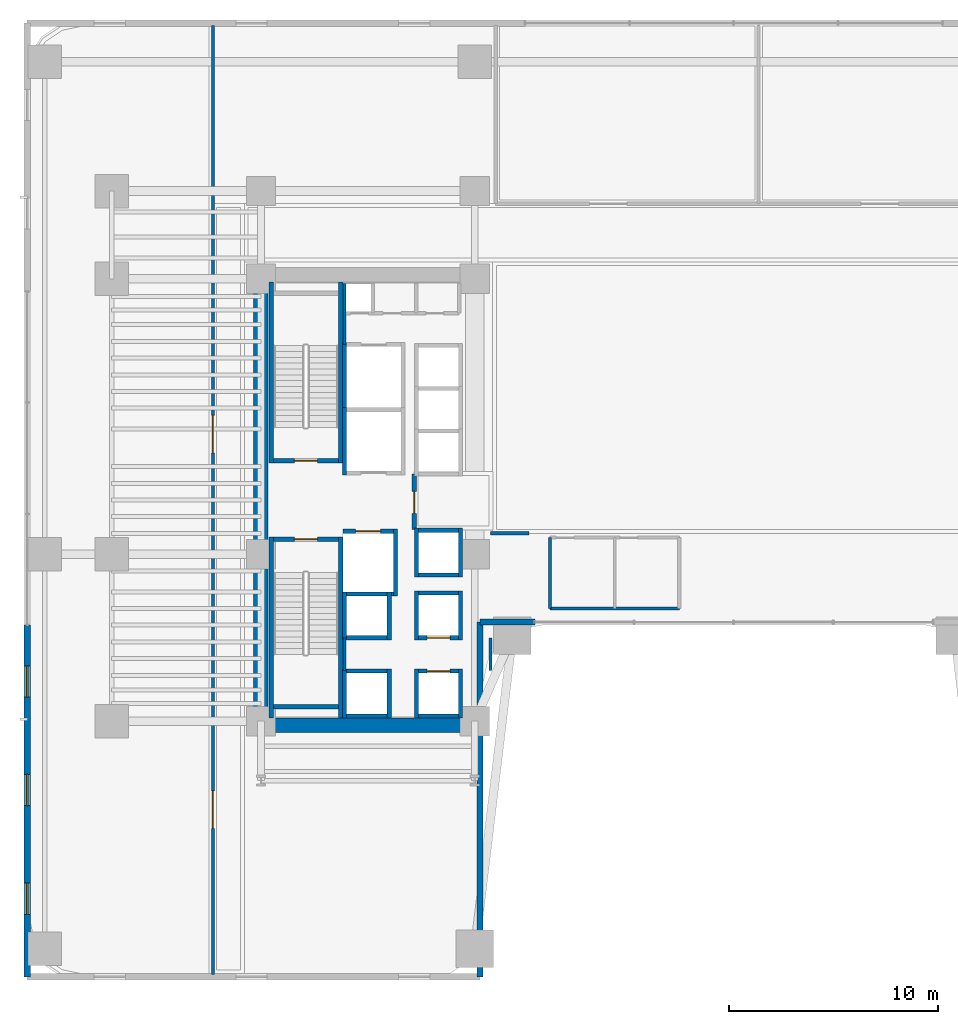
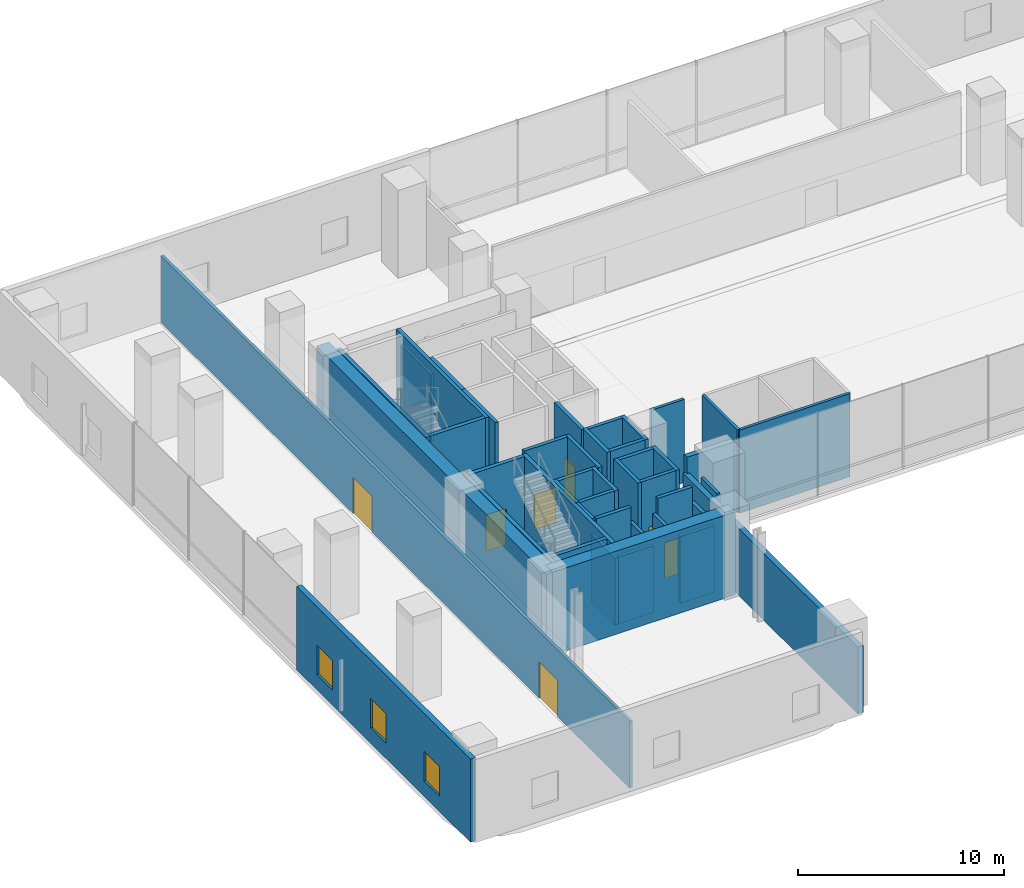
# One storey, part 26 of 39: 44 walls, 8 doors, 3 windows, 11 openings.
"""IFC4 building model written with IfcOpenShell, lengths in metres."""

from ifc_helpers import new_model, si_unit, direction, frame, frame_2d, origin, place, context, subcontext, project, spatial, rectangle, extrude, material, layer, layer_set, type_object, element, fill, save


model = new_model("IFC4")

# Units and contexts
model_context = context("Model", 3, precision=1e-05, world=origin(), true_north=direction((0.0, 1.0)))
body_context = subcontext(model_context, "Body", "Model", "MODEL_VIEW")
ifc_project = project(units=[si_unit("LENGTHUNIT", "METRE"), si_unit("AREAUNIT", "SQUARE_METRE"), si_unit("VOLUMEUNIT", "CUBIC_METRE"), si_unit("PLANEANGLEUNIT", "RADIAN"), si_unit("MASSUNIT", "GRAM", prefix="KILO")], contexts=[model_context])

# Site, building, storey
site_placement = place(None, origin())
site = spatial("IfcSite", under=ifc_project, at=site_placement, CompositionType="ELEMENT")
building_placement = place(site_placement, origin())
building = spatial("IfcBuilding", under=site, at=building_placement, Name="Valdorenza Pilgrim Sanctuary Tower", CompositionType="ELEMENT")
storey_placement = place(building_placement, frame((0.0, 0.0, 5.199951171875)))
storey = spatial("IfcBuildingStorey", under=building, at=storey_placement, Name="L01", CompositionType="ELEMENT", Elevation=5.199951171875)

# Walls
ifc_material_1 = material(Name="Acoustic twin-stud gypsum partition", Category="gypsum")
ifc_layer_1 = layer(ifc_material_1, 0.159912109375, Name="Acoustic twin-stud gypsum partition")
ifc_layer_set_1 = layer_set([ifc_layer_1], Name="Acoustic twin-stud gypsum partition")
wall_type_1 = type_object("IfcWallType", Name="WAL-COR-160", PredefinedType="PARTITIONING", material=ifc_layer_set_1)
wall_1_placement = place(storey_placement, frame((-18.64990234375, 7.449951171875, 0.0), z_axis=(0.0, 0.0, 1.0), x_axis=(0.0, 1.0, 0.0)))
element("IfcWall", 1, at=wall_1_placement, inside=storey, type_object=wall_type_1, Name="L01 Core A North Service West Wall", PredefinedType="PARTITIONING", context=body_context, shape_type="SweptSolid", body=[
    extrude(rectangle(XDim=2.929931640625, YDim=0.159912109375, at=frame_2d((1.46484375, 0.0))), origin(), (0.0, 0.0, 1.0), 3.95703125),
])
wall_2_placement = place(storey_placement, frame((-18.64990234375, -8.179931640625, 0.0), z_axis=(0.0, 0.0, 1.0), x_axis=(0.0, 1.0, 0.0)))
element("IfcWall", 2, at=wall_2_placement, inside=storey, type_object=wall_type_1, Name="L01 Core A South Lift Hall West Wall", PredefinedType="PARTITIONING", context=body_context, shape_type="SweptSolid", body=[
    extrude(rectangle(XDim=1.559814453125, YDim=0.159912109375, at=frame_2d((0.77978515625, 0.0))), origin(), (0.0, 0.0, 1.0), 4.920166015625),
])
wall_3_placement = place(storey_placement, frame((-11.64990234375, -8.179931640625, 0.0), z_axis=(0.0, 0.0, 1.0), x_axis=(0.0, 1.0, 0.0)))
element("IfcWall", 3, at=wall_3_placement, inside=storey, type_object=wall_type_1, Name="L01 Core A South Lift Hall East Wall", PredefinedType="PARTITIONING", context=body_context, shape_type="SweptSolid", body=[
    extrude(rectangle(XDim=1.559814453125, YDim=0.159912109375, at=frame_2d((0.77978515625, 0.0))), origin(), (0.0, 0.0, 1.0), 3.95703125),
])

# Wall, openings, doors
wall_4_placement = place(storey_placement, frame((-24.949951171875, -22.739990234375, 0.0), z_axis=(0.0, 0.0, 1.0), x_axis=(0.0, 1.0, 0.0)))
wall_4 = element("IfcWall", 4, at=wall_4_placement, inside=storey, type_object=wall_type_1, Name="L01 L01 West Hall Wall", PredefinedType="PARTITIONING", context=body_context, shape_type="SweptSolid", body=[
    extrude(rectangle(XDim=45.47998046875, YDim=0.159912109375, at=frame_2d((22.739990234375, 0.0))), origin(), (0.0, 0.0, 1.0), 3.95703125),
])
opening_1_placement = place(wall_4_placement, frame((7.0, 0.0, 0.0)))
opening_1 = element("IfcOpeningElement", 5, at=opening_1_placement, cuts=wall_4, Name="Opening DR-HL1", PredefinedType="OPENING", context=body_context, shape_type="SweptSolid", body=[
    extrude(rectangle(XDim=1.800048828125, YDim=2.14990234375, at=frame_2d((0.89990234375, 1.074951171875))), frame((0.0, 0.0947265625, 0.0), z_axis=(0.0, -1.0, 0.0), x_axis=(1.0, 0.0, 0.0)), (0.0, 0.0, 1.0), 0.189697265625),
])
opening_2_placement = place(wall_4_placement, frame((25.0, 0.0, 0.0)))
opening_2 = element("IfcOpeningElement", 6, at=opening_2_placement, cuts=wall_4, Name="Opening DR-HL1", PredefinedType="OPENING", context=body_context, shape_type="SweptSolid", body=[
    extrude(rectangle(XDim=1.800048828125, YDim=2.14990234375, at=frame_2d((0.89990234375, 1.074951171875))), frame((0.0, 0.0947265625, 0.0), z_axis=(0.0, -1.0, 0.0), x_axis=(1.0, 0.0, 0.0)), (0.0, 0.0, 1.0), 0.189697265625),
])
ifc_material_2 = material(Name="Acoustic oak and vision-glass double door", Category="glass")
door_type_1 = type_object("IfcDoorType", Name="DR-HALL-1800", OperationType="NOTDEFINED", PredefinedType="DOOR", material=ifc_material_2)
door_1_placement = place(opening_1_placement, origin())
door_1 = element("IfcDoor", 7, at=door_1_placement, inside=storey, type_object=door_type_1, Name="L01 Pilgrim Orientation Concourse South Double Door", OperationType="DOUBLE_DOOR_SINGLE_SWING", OverallHeight=2.14990234375, OverallWidth=1.800048828125, PredefinedType="DOOR", context=body_context, shape_type="SweptSolid", body=[
    extrude(rectangle(XDim=1.800048828125, YDim=2.14990234375, at=frame_2d((0.89990234375, 1.074951171875))), frame((0.0, 0.02490234375, 0.0), z_axis=(0.0, -1.0, 0.0), x_axis=(1.0, 0.0, 0.0)), (0.0, 0.0, 1.0), 0.050048828125),
])
fill(opening_1, door_1)
door_2_placement = place(opening_2_placement, frame((1.800048828125, 0.0, 0.0), z_axis=(0.0, 0.0, 1.0), x_axis=(-1.0, 0.0, 0.0)))
door_2 = element("IfcDoor", 8, at=door_2_placement, inside=storey, type_object=door_type_1, Name="L01 Pilgrim Orientation Concourse North Double Door", OperationType="DOUBLE_DOOR_SINGLE_SWING", OverallHeight=2.14990234375, OverallWidth=1.800048828125, PredefinedType="DOOR", context=body_context, shape_type="SweptSolid", body=[
    extrude(rectangle(XDim=1.800048828125, YDim=2.14990234375, at=frame_2d((0.89990234375, 1.074951171875))), frame((0.0, 0.02490234375, 0.0), z_axis=(0.0, -1.0, 0.0), x_axis=(1.0, 0.0, 0.0)), (0.0, 0.0, 1.0), 0.050048828125),
])
fill(opening_2, door_2)

# Walls
wall_5_placement = place(storey_placement, frame((-8.800048828125, -5.199951171875, 0.0), z_axis=(0.0, 0.0, 1.0), x_axis=(0.0, 1.0, 0.0)))
element("IfcWall", 9, at=wall_5_placement, inside=storey, type_object=wall_type_1, Name="L01 Washroom West Wall", PredefinedType="PARTITIONING", context=body_context, shape_type="SweptSolid", body=[
    extrude(rectangle(XDim=3.39990234375, YDim=0.159912109375, at=frame_2d((1.699951171875, 0.0))), origin(), (0.0, 0.0, 1.0), 4.920166015625),
])
wall_6_placement = place(storey_placement, frame((-8.800048828125, -5.199951171875, 0.0), z_axis=(0.0, 0.0, 1.0), x_axis=(1.0, 0.0, 0.0)))
element("IfcWall", 10, at=wall_6_placement, inside=storey, type_object=wall_type_1, Name="L01 Washroom South Wall", PredefinedType="PARTITIONING", context=body_context, shape_type="SweptSolid", body=[
    extrude(rectangle(XDim=6.199951171875, YDim=0.159912109375, at=frame_2d((3.10009765625, 0.0))), origin(), (0.0, 0.0, 1.0), 4.920166015625),
])
wall_7_placement = place(storey_placement, frame((-11.64990234375, -1.60009765625, 0.0), z_axis=(0.0, 0.0, 1.0), x_axis=(1.0, 0.0, 0.0)))
element("IfcWall", 11, at=wall_7_placement, inside=storey, type_object=wall_type_1, Name="L01 L01 Concourse South Closure", PredefinedType="PARTITIONING", context=body_context, shape_type="SweptSolid", body=[
    extrude(rectangle(XDim=1.849853515625, YDim=0.159912109375, at=frame_2d((0.9248046875, 0.0))), origin(), (0.0, 0.0, 1.0), 4.920166015625),
])
ifc_material_3 = material(Name="Concrete C60/75", Category="concrete")
ifc_layer_2 = layer(ifc_material_3, 0.699951171875, Name="Concrete C60/75")
ifc_layer_set_2 = layer_set([ifc_layer_2], Name="Concrete C60/75")
wall_type_2 = type_object("IfcWallType", Name="WAL-COR-700", PredefinedType="SHEAR", material=ifc_layer_set_2)
wall_8_placement = place(storey_placement, frame((-22.64990234375, -11.14990234375, 0.0), z_axis=(0.0, 0.0, 1.0), x_axis=(0.0, 1.0, 0.0)))
element("IfcWall", 12, at=wall_8_placement, inside=storey, type_object=wall_type_2, Name="L01 Split Core A Shear Wall W", PredefinedType="SHEAR", context=body_context, shape_type="SweptSolid", body=[
    extrude(rectangle(XDim=22.2998046875, YDim=0.699951171875, at=frame_2d((11.14990234375, 0.0))), origin(), (0.0, 0.0, 1.0), 4.920166015625),
])
wall_9_placement = place(storey_placement, frame((-22.64990234375, -10.800048828125, 0.0), z_axis=(0.0, 0.0, 1.0), x_axis=(1.0, 0.0, 0.0)))
element("IfcWall", 13, at=wall_9_placement, inside=storey, type_object=wall_type_2, Name="L01 Split Core A Shear Wall S", PredefinedType="SHEAR", context=body_context, shape_type="SweptSolid", body=[
    extrude(rectangle(XDim=10.25, YDim=0.699951171875, at=frame_2d((5.125, 0.0))), origin(), (0.0, 0.0, 1.0), 4.920166015625),
])

# Wall, openings, windows
ifc_material_4 = material(Name="Honed travertine limestone", Category="masonry")
ifc_layer_3 = layer(ifc_material_4, 0.300048828125, Name="Honed travertine limestone")
ifc_layer_set_3 = layer_set([ifc_layer_3], Name="Honed travertine limestone")
wall_type_3 = type_object("IfcWallType", Name="WAL-EXT-300", PredefinedType="SOLIDWALL", material=ifc_layer_set_3)
wall_10_placement = place(storey_placement, frame((-33.85009765625, -22.85009765625, 0.0), z_axis=(0.0, 0.0, 1.0), x_axis=(0.0, 1.0, 0.0)))
wall_10 = element("IfcWall", 14, at=wall_10_placement, inside=storey, type_object=wall_type_3, Name="L01 Podium Honed Travertine Stone Wall W-S", PredefinedType="SOLIDWALL", context=body_context, shape_type="SweptSolid", body=[
    extrude(rectangle(XDim=16.8701171875, YDim=0.300048828125, at=frame_2d((8.43505859375, 0.0))), origin(), (0.0, 0.0, 1.0), 4.920166015625),
])
opening_3_placement = place(wall_10_placement, frame((3.0, 0.0, 0.89990234375)))
opening_3 = element("IfcOpeningElement", 15, at=opening_3_placement, cuts=wall_10, Name="Opening WN-VS1", PredefinedType="OPENING", context=body_context, shape_type="SweptSolid", body=[
    extrude(rectangle(XDim=1.5, YDim=1.75, at=frame_2d((0.75, 0.875))), frame((0.0, 0.1650390625, 0.0), z_axis=(0.0, -1.0, 0.0), x_axis=(1.0, 0.0, 0.0)), (0.0, 0.0, 1.0), 0.329833984375),
])
opening_4_placement = place(wall_10_placement, frame((8.199951171875, 0.0, 0.89990234375)))
opening_4 = element("IfcOpeningElement", 16, at=opening_4_placement, cuts=wall_10, Name="Opening WN-VS1", PredefinedType="OPENING", context=body_context, shape_type="SweptSolid", body=[
    extrude(rectangle(XDim=1.5, YDim=1.75, at=frame_2d((0.75, 0.875))), frame((0.0, 0.1650390625, 0.0), z_axis=(0.0, -1.0, 0.0), x_axis=(1.0, 0.0, 0.0)), (0.0, 0.0, 1.0), 0.329833984375),
])
opening_5_placement = place(wall_10_placement, frame((13.39990234375, 0.0, 0.89990234375)))
opening_5 = element("IfcOpeningElement", 17, at=opening_5_placement, cuts=wall_10, Name="Opening WN-VS1", PredefinedType="OPENING", context=body_context, shape_type="SweptSolid", body=[
    extrude(rectangle(XDim=1.5, YDim=1.75, at=frame_2d((0.75, 0.875))), frame((0.0, 0.1650390625, 0.0), z_axis=(0.0, -1.0, 0.0), x_axis=(1.0, 0.0, 0.0)), (0.0, 0.0, 1.0), 0.329833984375),
])
ifc_material_5 = material(Name="Ceramic-fritted low-E IGU glazing", Category="glass")
window_type = type_object("IfcWindowType", Name="WIN-VIS-1500", PartitioningType="SINGLE_PANEL", PredefinedType="WINDOW", material=ifc_material_5)
window_1_placement = place(opening_3_placement, origin())
window_1 = element("IfcWindow", 18, at=window_1_placement, inside=storey, type_object=window_type, Name="L01 Podium Stone Vision Window W-S-1", OverallHeight=1.75, OverallWidth=1.5, PartitioningType="SINGLE_PANEL", PredefinedType="WINDOW", context=body_context, shape_type="SweptSolid", body=[
    extrude(rectangle(XDim=1.5, YDim=1.75, at=frame_2d((0.75, 0.875))), frame((0.0, 0.030029296875, 0.0), z_axis=(0.0, -1.0, 0.0), x_axis=(1.0, 0.0, 0.0)), (0.0, 0.0, 1.0), 0.06005859375),
])
fill(opening_3, window_1)
window_2_placement = place(opening_4_placement, origin())
window_2 = element("IfcWindow", 19, at=window_2_placement, inside=storey, type_object=window_type, Name="L01 Podium Stone Vision Window W-S-2", OverallHeight=1.75, OverallWidth=1.5, PartitioningType="SINGLE_PANEL", PredefinedType="WINDOW", context=body_context, shape_type="SweptSolid", body=[
    extrude(rectangle(XDim=1.5, YDim=1.75, at=frame_2d((0.75, 0.875))), frame((0.0, 0.030029296875, 0.0), z_axis=(0.0, -1.0, 0.0), x_axis=(1.0, 0.0, 0.0)), (0.0, 0.0, 1.0), 0.06005859375),
])
fill(opening_4, window_2)
window_3_placement = place(opening_5_placement, origin())
window_3 = element("IfcWindow", 20, at=window_3_placement, inside=storey, type_object=window_type, Name="L01 Podium Stone Vision Window W-S-3", OverallHeight=1.75, OverallWidth=1.5, PartitioningType="SINGLE_PANEL", PredefinedType="WINDOW", context=body_context, shape_type="SweptSolid", body=[
    extrude(rectangle(XDim=1.5, YDim=1.75, at=frame_2d((0.75, 0.875))), frame((0.0, 0.030029296875, 0.0), z_axis=(0.0, -1.0, 0.0), x_axis=(1.0, 0.0, 0.0)), (0.0, 0.0, 1.0), 0.06005859375),
])
fill(opening_5, window_3)

# Walls
wall_11_placement = place(storey_placement, frame((-12.14990234375, -22.85009765625, 0.0), z_axis=(0.0, 0.0, 1.0), x_axis=(0.0, 1.0, 0.0)))
element("IfcWall", 21, at=wall_11_placement, inside=storey, type_object=wall_type_3, Name="L01 Portal Arch Stone Cheek Wall ARCH-W", PredefinedType="SOLIDWALL", context=body_context, shape_type="SweptSolid", body=[
    extrude(rectangle(XDim=17.0, YDim=0.300048828125, at=frame_2d((8.5, 0.0))), origin(), (0.0, 0.0, 1.0), 3.95703125),
])
wall_12_placement = place(storey_placement, frame((-12.14990234375, -5.85009765625, 0.0), z_axis=(0.0, 0.0, 1.0), x_axis=(1.0, 0.0, 0.0)))
element("IfcWall", 22, at=wall_12_placement, inside=storey, type_object=wall_type_3, Name="L01 Arch Pier West Stone Jamb", PredefinedType="SOLIDWALL", context=body_context, shape_type="SweptSolid", body=[
    extrude(rectangle(XDim=2.6298828125, YDim=0.300048828125, at=frame_2d((1.31494140625, 0.0))), origin(), (0.0, 0.0, 1.0), 4.920166015625),
])

# Wall, opening, door
ifc_material_6 = material(Name="Gypsum shaftwall partition", Category="gypsum")
ifc_layer_4 = layer(ifc_material_6, 0.199951171875, Name="Gypsum shaftwall partition")
ifc_layer_set_4 = layer_set([ifc_layer_4], Name="Gypsum shaftwall partition")
wall_type_4 = type_object("IfcWallType", Name="WAL-FFL-200", PredefinedType="PARTITIONING", material=ifc_layer_set_4)
wall_13_placement = place(storey_placement, frame((-15.300048828125, -1.419921875, 0.0), z_axis=(0.0, 0.0, 1.0), x_axis=(0.0, 1.0, 0.0)))
wall_13 = element("IfcWall", 23, at=wall_13_placement, inside=storey, type_object=wall_type_4, Name="L01 Core A Firefighting Lobby East Wall", PredefinedType="PARTITIONING", context=body_context, shape_type="SweptSolid", body=[
    extrude(rectangle(XDim=2.669921875, YDim=0.199951171875, at=frame_2d((1.3349609375, 0.0))), origin(), (0.0, 0.0, 1.0), 4.920166015625),
])
opening_6_placement = place(wall_13_placement, frame((0.780029296875, 0.0, 0.0)))
opening_6 = element("IfcOpeningElement", 24, at=opening_6_placement, cuts=wall_13, Name="Opening DR-FL1", PredefinedType="OPENING", context=body_context, shape_type="SweptSolid", body=[
    extrude(rectangle(XDim=1.050048828125, YDim=2.14990234375, at=frame_2d((0.52490234375, 1.074951171875))), frame((0.0, 0.11474609375, 0.0), z_axis=(0.0, -1.0, 0.0), x_axis=(1.0, 0.0, 0.0)), (0.0, 0.0, 1.0), 0.229736328125),
])
ifc_material_7 = material(Name="Painted galvanized steel", Category="steel")
door_type_2 = type_object("IfcDoorType", Name="DR-FFL-1050", OperationType="NOTDEFINED", PredefinedType="DOOR", material=ifc_material_7)
door_3_placement = place(opening_6_placement, origin())
door_3 = element("IfcDoor", 25, at=door_3_placement, inside=storey, type_object=door_type_2, Name="L01 Core A Firefighting Lobby Door", OperationType="SINGLE_SWING_RIGHT", OverallHeight=2.14990234375, OverallWidth=1.050048828125, PredefinedType="DOOR", context=body_context, shape_type="SweptSolid", body=[
    extrude(rectangle(XDim=1.050048828125, YDim=2.14990234375, at=frame_2d((0.52490234375, 1.074951171875))), frame((0.0, 0.02490234375, 0.0), z_axis=(0.0, -1.0, 0.0), x_axis=(1.0, 0.0, 0.0)), (0.0, 0.0, 1.0), 0.050048828125),
])
fill(opening_6, door_3)

# Walls
ifc_material_8 = material(Name="Autoclaved aerated concrete blockwork", Category="masonry")
ifc_layer_5 = layer(ifc_material_8, 0.199951171875, Name="Autoclaved aerated concrete blockwork")
ifc_layer_set_5 = layer_set([ifc_layer_5], Name="Autoclaved aerated concrete blockwork")
wall_type_5 = type_object("IfcWallType", Name="WAL-SHF-200", PredefinedType="MOVABLE", material=ifc_layer_set_5)
wall_14_placement = place(storey_placement, frame((-18.64990234375, 1.199951171875, 0.0), z_axis=(0.0, 0.0, 1.0), x_axis=(0.0, 1.0, 0.0)))
element("IfcWall", 26, at=wall_14_placement, inside=storey, type_object=wall_type_5, Name="L01 Lift FFL-01 Hoistway Wall West", PredefinedType="MOVABLE", context=body_context, shape_type="SweptSolid", body=[
    extrude(rectangle(XDim=3.22509765625, YDim=0.199951171875, at=frame_2d((1.612548828125, 0.0))), origin(), (0.0, 0.0, 1.0), 4.920166015625),
])
wall_15_placement = place(storey_placement, frame((-16.199951171875, -4.60009765625, 0.0), z_axis=(0.0, 0.0, 1.0), x_axis=(0.0, 1.0, 0.0)))
element("IfcWall", 27, at=wall_15_placement, inside=storey, type_object=wall_type_5, Name="L01 Lift FFL-02 Hoistway Wall East", PredefinedType="MOVABLE", context=body_context, shape_type="SweptSolid", body=[
    extrude(rectangle(XDim=3.2001953125, YDim=0.199951171875, at=frame_2d((1.60009765625, 0.0))), origin(), (0.0, 0.0, 1.0), 4.920166015625),
])
wall_16_placement = place(storey_placement, frame((-18.719970703125, -4.5, 0.0), z_axis=(0.0, 0.0, 1.0), x_axis=(1.0, 0.0, 0.0)))
element("IfcWall", 28, at=wall_16_placement, inside=storey, type_object=wall_type_5, Name="L01 Lift FFL-02 Hoistway Wall South", PredefinedType="MOVABLE", context=body_context, shape_type="SweptSolid", body=[
    extrude(rectangle(XDim=2.419921875, YDim=0.199951171875, at=frame_2d((1.2099609375, 0.0))), origin(), (0.0, 0.0, 1.0), 4.920166015625),
])

# Wall, opening, door
wall_17_placement = place(storey_placement, frame((-18.719970703125, -1.5, 0.0), z_axis=(0.0, 0.0, 1.0), x_axis=(1.0, 0.0, 0.0)))
wall_17 = element("IfcWall", 29, at=wall_17_placement, inside=storey, type_object=wall_type_5, Name="L01 Lift FFL-02 Hoistway Wall North", PredefinedType="MOVABLE", context=body_context, shape_type="SweptSolid", body=[
    extrude(rectangle(XDim=2.419921875, YDim=0.199951171875, at=frame_2d((1.2099609375, 0.0))), origin(), (0.0, 0.0, 1.0), 4.920166015625),
])
opening_7_placement = place(wall_17_placement, frame((0.610107421875, 0.0, 0.0)))
opening_7 = element("IfcOpeningElement", 30, at=opening_7_placement, cuts=wall_17, Name="Opening LD-02", PredefinedType="OPENING", context=body_context, shape_type="SweptSolid", body=[
    extrude(rectangle(XDim=1.199951171875, YDim=2.10009765625, at=frame_2d((0.60009765625, 1.050048828125))), frame((0.0, 0.11474609375, 0.0), z_axis=(0.0, -1.0, 0.0), x_axis=(1.0, 0.0, 0.0)), (0.0, 0.0, 1.0), 0.229736328125),
])
ifc_material_9 = material(Name="Brushed stainless steel Grade 316", Category="steel")
door_type_3 = type_object("IfcDoorType", Name="DR-LFT-1200", OperationType="DOUBLE_DOOR_SLIDING", PredefinedType="DOOR", material=ifc_material_9)
door_4_placement = place(opening_7_placement, origin())
door_4 = element("IfcDoor", 31, at=door_4_placement, inside=storey, type_object=door_type_3, Name="L01 Lift FFL-02 Sliding Landing Door", OperationType="DOUBLE_DOOR_SLIDING", OverallHeight=2.10009765625, OverallWidth=1.199951171875, PredefinedType="DOOR", context=body_context, shape_type="SweptSolid", body=[
    extrude(rectangle(XDim=1.199951171875, YDim=2.10009765625, at=frame_2d((0.60009765625, 1.050048828125))), frame((0.0, 0.02490234375, 0.0), z_axis=(0.0, -1.0, 0.0), x_axis=(1.0, 0.0, 0.0)), (0.0, 0.0, 1.0), 0.050048828125),
])
fill(opening_7, door_4)

# Walls
wall_18_placement = place(storey_placement, frame((-18.64990234375, 4.22509765625, 0.0), z_axis=(0.0, 0.0, 1.0), x_axis=(0.0, 1.0, 0.0)))
element("IfcWall", 32, at=wall_18_placement, inside=storey, type_object=wall_type_5, Name="L01 Lift SVL-01 Hoistway Wall West", PredefinedType="MOVABLE", context=body_context, shape_type="SweptSolid", body=[
    extrude(rectangle(XDim=3.324951171875, YDim=0.199951171875, at=frame_2d((1.66259765625, 0.0))), origin(), (0.0, 0.0, 1.0), 4.920166015625),
])
for number, where, z_axis, x_axis, name in (
    (33, (-15.199951171875, -10.449951171875, 0.0), (0.0, 0.0, 1.0), (0.0, 1.0, 0.0), "L01 Lift PL-01 Hoistway Wall West"),
    (34, (-13.080078125, -10.449951171875, 0.0), (0.0, 0.0, 1.0), (0.0, 1.0, 0.0), "L01 Lift PL-01 Hoistway Wall East"),
):
    element("IfcWall", number, at=place(storey_placement, frame(where, z_axis=z_axis, x_axis=x_axis)), inside=storey, type_object=wall_type_5, Name=name, PredefinedType="MOVABLE", context=body_context, shape_type="SweptSolid", body=[
        extrude(rectangle(XDim=2.349853515625, YDim=0.199951171875, at=frame_2d((1.1748046875, 0.0))), origin(), (0.0, 0.0, 1.0), 3.95703125),
    ])
wall_19_placement = place(storey_placement, frame((-15.10009765625, -10.35009765625, 0.0), z_axis=(0.0, 0.0, 1.0), x_axis=(1.0, 0.0, 0.0)))
element("IfcWall", 35, at=wall_19_placement, inside=storey, type_object=wall_type_5, Name="L01 Lift PL-01 Hoistway Wall South", PredefinedType="MOVABLE", context=body_context, shape_type="SweptSolid", body=[
    extrude(rectangle(XDim=1.920166015625, YDim=0.199951171875, at=frame_2d((0.9599609375, 0.0))), origin(), (0.0, 0.0, 1.0), 3.95703125),
])

# Wall, opening, door
wall_20_placement = place(storey_placement, frame((-15.10009765625, -8.199951171875, 0.0), z_axis=(0.0, 0.0, 1.0), x_axis=(1.0, 0.0, 0.0)))
wall_20 = element("IfcWall", 36, at=wall_20_placement, inside=storey, type_object=wall_type_5, Name="L01 Lift PL-01 Hoistway Wall North", PredefinedType="MOVABLE", context=body_context, shape_type="SweptSolid", body=[
    extrude(rectangle(XDim=1.920166015625, YDim=0.199951171875, at=frame_2d((0.9599609375, 0.0))), origin(), (0.0, 0.0, 1.0), 4.920166015625),
])
opening_8_placement = place(wall_20_placement, frame((0.409912109375, 0.0, 0.0)))
opening_8 = element("IfcOpeningElement", 37, at=opening_8_placement, cuts=wall_20, Name="Opening LD-01", PredefinedType="OPENING", context=body_context, shape_type="SweptSolid", body=[
    extrude(rectangle(XDim=1.10009765625, YDim=2.10009765625, at=frame_2d((0.550048828125, 1.050048828125))), frame((0.0, 0.11474609375, 0.0), z_axis=(0.0, -1.0, 0.0), x_axis=(1.0, 0.0, 0.0)), (0.0, 0.0, 1.0), 0.229736328125),
])
door_type_4 = type_object("IfcDoorType", Name="DR-LFT-1100", OperationType="DOUBLE_DOOR_SLIDING", PredefinedType="DOOR", material=ifc_material_9)
door_5_placement = place(opening_8_placement, origin())
door_5 = element("IfcDoor", 38, at=door_5_placement, inside=storey, type_object=door_type_4, Name="L01 Lift PL-01 Sliding Landing Door", OperationType="DOUBLE_DOOR_SLIDING", OverallHeight=2.10009765625, OverallWidth=1.10009765625, PredefinedType="DOOR", context=body_context, shape_type="SweptSolid", body=[
    extrude(rectangle(XDim=1.10009765625, YDim=2.10009765625, at=frame_2d((0.550048828125, 1.050048828125))), frame((0.0, 0.02490234375, 0.0), z_axis=(0.0, -1.0, 0.0), x_axis=(1.0, 0.0, 0.0)), (0.0, 0.0, 1.0), 0.050048828125),
])
fill(opening_8, door_5)

# Walls
for number, where, z_axis, x_axis, name in (
    (39, (-15.199951171875, -6.699951171875, 0.0), (0.0, 0.0, 1.0), (0.0, 1.0, 0.0), "L01 Lift PL-02 Hoistway Wall West"),
    (40, (-13.080078125, -6.699951171875, 0.0), (0.0, 0.0, 1.0), (0.0, 1.0, 0.0), "L01 Lift PL-02 Hoistway Wall East"),
):
    element("IfcWall", number, at=place(storey_placement, frame(where, z_axis=z_axis, x_axis=x_axis)), inside=storey, type_object=wall_type_5, Name=name, PredefinedType="MOVABLE", context=body_context, shape_type="SweptSolid", body=[
        extrude(rectangle(XDim=2.349853515625, YDim=0.199951171875, at=frame_2d((1.1748046875, 0.0))), origin(), (0.0, 0.0, 1.0), 4.920166015625),
    ])

# Wall, opening, door
wall_21_placement = place(storey_placement, frame((-15.10009765625, -6.60009765625, 0.0), z_axis=(0.0, 0.0, 1.0), x_axis=(1.0, 0.0, 0.0)))
wall_21 = element("IfcWall", 41, at=wall_21_placement, inside=storey, type_object=wall_type_5, Name="L01 Lift PL-02 Hoistway Wall South", PredefinedType="MOVABLE", context=body_context, shape_type="SweptSolid", body=[
    extrude(rectangle(XDim=1.920166015625, YDim=0.199951171875, at=frame_2d((0.9599609375, 0.0))), origin(), (0.0, 0.0, 1.0), 4.920166015625),
])
opening_9_placement = place(wall_21_placement, frame((0.409912109375, 0.0, 0.0)))
opening_9 = element("IfcOpeningElement", 42, at=opening_9_placement, cuts=wall_21, Name="Opening LD-01", PredefinedType="OPENING", context=body_context, shape_type="SweptSolid", body=[
    extrude(rectangle(XDim=1.10009765625, YDim=2.10009765625, at=frame_2d((0.550048828125, 1.050048828125))), frame((0.0, 0.11474609375, 0.0), z_axis=(0.0, -1.0, 0.0), x_axis=(1.0, 0.0, 0.0)), (0.0, 0.0, 1.0), 0.229736328125),
])
door_6_placement = place(opening_9_placement, origin())
door_6 = element("IfcDoor", 43, at=door_6_placement, inside=storey, type_object=door_type_4, Name="L01 Lift PL-02 Sliding Landing Door", OperationType="DOUBLE_DOOR_SLIDING", OverallHeight=2.10009765625, OverallWidth=1.10009765625, PredefinedType="DOOR", context=body_context, shape_type="SweptSolid", body=[
    extrude(rectangle(XDim=1.10009765625, YDim=2.10009765625, at=frame_2d((0.550048828125, 1.050048828125))), frame((0.0, 0.02490234375, 0.0), z_axis=(0.0, -1.0, 0.0), x_axis=(1.0, 0.0, 0.0)), (0.0, 0.0, 1.0), 0.050048828125),
])
fill(opening_9, door_6)

# Walls
wall_22_placement = place(storey_placement, frame((-15.10009765625, -4.449951171875, 0.0), z_axis=(0.0, 0.0, 1.0), x_axis=(1.0, 0.0, 0.0)))
element("IfcWall", 44, at=wall_22_placement, inside=storey, type_object=wall_type_5, Name="L01 Lift PL-02 Hoistway Wall North", PredefinedType="MOVABLE", context=body_context, shape_type="SweptSolid", body=[
    extrude(rectangle(XDim=1.920166015625, YDim=0.199951171875, at=frame_2d((0.9599609375, 0.0))), origin(), (0.0, 0.0, 1.0), 4.920166015625),
])
for number, where, z_axis, x_axis, name in (
    (45, (-18.64990234375, -10.449951171875, 0.0), (0.0, 0.0, 1.0), (0.0, 1.0, 0.0), "L01 Lift PL-05 Hoistway Wall West"),
    (46, (-16.5, -10.449951171875, 0.0), (0.0, 0.0, 1.0), (0.0, 1.0, 0.0), "L01 Lift PL-05 Hoistway Wall East"),
):
    element("IfcWall", number, at=place(storey_placement, frame(where, z_axis=z_axis, x_axis=x_axis)), inside=storey, type_object=wall_type_5, Name=name, PredefinedType="MOVABLE", context=body_context, shape_type="SweptSolid", body=[
        extrude(rectangle(XDim=2.349853515625, YDim=0.199951171875, at=frame_2d((1.1748046875, 0.0))), origin(), (0.0, 0.0, 1.0), 3.95703125),
    ])
wall_23_placement = place(storey_placement, frame((-18.550048828125, -10.35009765625, 0.0), z_axis=(0.0, 0.0, 1.0), x_axis=(1.0, 0.0, 0.0)))
element("IfcWall", 47, at=wall_23_placement, inside=storey, type_object=wall_type_5, Name="L01 Lift PL-05 Hoistway Wall South", PredefinedType="MOVABLE", context=body_context, shape_type="SweptSolid", body=[
    extrude(rectangle(XDim=1.949951171875, YDim=0.199951171875, at=frame_2d((0.97509765625, 0.0))), origin(), (0.0, 0.0, 1.0), 3.95703125),
])
wall_24_placement = place(storey_placement, frame((-18.550048828125, -8.199951171875, 0.0), z_axis=(0.0, 0.0, 1.0), x_axis=(1.0, 0.0, 0.0)))
element("IfcWall", 48, at=wall_24_placement, inside=storey, type_object=wall_type_5, Name="L01 Lift PL-05 Hoistway Wall North", PredefinedType="MOVABLE", context=body_context, shape_type="SweptSolid", body=[
    extrude(rectangle(XDim=1.949951171875, YDim=0.199951171875, at=frame_2d((0.97509765625, 0.0))), origin(), (0.0, 0.0, 1.0), 4.920166015625),
])
for number, where, z_axis, x_axis, name in (
    (49, (-18.64990234375, -6.699951171875, 0.0), (0.0, 0.0, 1.0), (0.0, 1.0, 0.0), "L01 Lift PL-11 Hoistway Wall West"),
    (50, (-16.5, -6.699951171875, 0.0), (0.0, 0.0, 1.0), (0.0, 1.0, 0.0), "L01 Lift PL-11 Hoistway Wall East"),
):
    element("IfcWall", number, at=place(storey_placement, frame(where, z_axis=z_axis, x_axis=x_axis)), inside=storey, type_object=wall_type_5, Name=name, PredefinedType="MOVABLE", context=body_context, shape_type="SweptSolid", body=[
        extrude(rectangle(XDim=2.300048828125, YDim=0.199951171875, at=frame_2d((1.14990234375, 0.0))), origin(), (0.0, 0.0, 1.0), 4.920166015625),
    ])
wall_25_placement = place(storey_placement, frame((-18.550048828125, -6.60009765625, 0.0), z_axis=(0.0, 0.0, 1.0), x_axis=(1.0, 0.0, 0.0)))
element("IfcWall", 51, at=wall_25_placement, inside=storey, type_object=wall_type_5, Name="L01 Lift PL-11 Hoistway Wall South", PredefinedType="MOVABLE", context=body_context, shape_type="SweptSolid", body=[
    extrude(rectangle(XDim=1.949951171875, YDim=0.199951171875, at=frame_2d((0.97509765625, 0.0))), origin(), (0.0, 0.0, 1.0), 4.920166015625),
])
for number, where, z_axis, x_axis, name in (
    (52, (-15.199951171875, -3.699951171875, 0.0), (0.0, 0.0, 1.0), (0.0, 1.0, 0.0), "L01 Lift PL-12 Hoistway Wall West"),
    (53, (-13.080078125, -3.699951171875, 0.0), (0.0, 0.0, 1.0), (0.0, 1.0, 0.0), "L01 Lift PL-12 Hoistway Wall East"),
):
    element("IfcWall", number, at=place(storey_placement, frame(where, z_axis=z_axis, x_axis=x_axis)), inside=storey, type_object=wall_type_5, Name=name, PredefinedType="MOVABLE", context=body_context, shape_type="SweptSolid", body=[
        extrude(rectangle(XDim=2.349853515625, YDim=0.199951171875, at=frame_2d((1.1748046875, 0.0))), origin(), (0.0, 0.0, 1.0), 4.920166015625),
    ])
for number, where, z_axis, x_axis, name in (
    (54, (-15.10009765625, -3.60009765625, 0.0), (0.0, 0.0, 1.0), (1.0, 0.0, 0.0), "L01 Lift PL-12 Hoistway Wall South"),
    (55, (-15.10009765625, -1.449951171875, 0.0), (0.0, 0.0, 1.0), (1.0, 0.0, 0.0), "L01 Lift PL-12 Hoistway Wall North"),
):
    element("IfcWall", number, at=place(storey_placement, frame(where, z_axis=z_axis, x_axis=x_axis)), inside=storey, type_object=wall_type_5, Name=name, PredefinedType="MOVABLE", context=body_context, shape_type="SweptSolid", body=[
        extrude(rectangle(XDim=1.920166015625, YDim=0.199951171875, at=frame_2d((0.9599609375, 0.0))), origin(), (0.0, 0.0, 1.0), 4.920166015625),
    ])
ifc_material_10 = material(Name="Concrete C40/50", Category="concrete")
ifc_layer_6 = layer(ifc_material_10, 0.219970703125, Name="Concrete C40/50")
ifc_layer_set_6 = layer_set([ifc_layer_6], Name="Concrete C40/50")
wall_type_6 = type_object("IfcWallType", Name="WAL-STR-SHF-220", PredefinedType="SHEAR", material=ifc_layer_set_6)
for number, where, z_axis, x_axis, name in (
    (56, (-22.159912109375, 1.780029296875, 0.0), (0.0, 0.0, 1.0), (0.0, 1.0, 0.0), "L01 ST-A1 Structural Stairwell Wall W"),
    (57, (-18.830078125, 1.780029296875, 0.0), (0.0, 0.0, 1.0), (0.0, 1.0, 0.0), "L01 ST-A1 Structural Stairwell Wall E"),
):
    element("IfcWall", number, at=place(storey_placement, frame(where, z_axis=z_axis, x_axis=x_axis)), inside=storey, type_object=wall_type_6, Name=name, PredefinedType="SHEAR", context=body_context, shape_type="SweptSolid", body=[
        extrude(rectangle(XDim=8.669921875, YDim=0.219970703125, at=frame_2d((4.3349609375, 0.0))), origin(), (0.0, 0.0, 1.0), 4.920166015625),
    ])

# Wall, opening, door
wall_26_placement = place(storey_placement, frame((-22.050048828125, 1.889892578125, 0.0), z_axis=(0.0, 0.0, 1.0), x_axis=(1.0, 0.0, 0.0)))
wall_26 = element("IfcWall", 58, at=wall_26_placement, inside=storey, type_object=wall_type_6, Name="L01 ST-A1 Structural Stairwell Wall S", PredefinedType="SHEAR", context=body_context, shape_type="SweptSolid", body=[
    extrude(rectangle(XDim=3.110107421875, YDim=0.219970703125, at=frame_2d((1.55517578125, 0.0))), origin(), (0.0, 0.0, 1.0), 4.920166015625),
])
opening_10_placement = place(wall_26_placement, frame((1.0, 0.0, 0.0)))
opening_10 = element("IfcOpeningElement", 59, at=opening_10_placement, cuts=wall_26, Name="Opening DR-ST1", PredefinedType="OPENING", context=body_context, shape_type="SweptSolid", body=[
    extrude(rectangle(XDim=1.10009765625, YDim=2.14990234375, at=frame_2d((0.550048828125, 1.074951171875))), frame((0.0, 0.125, 0.0), z_axis=(0.0, -1.0, 0.0), x_axis=(1.0, 0.0, 0.0)), (0.0, 0.0, 1.0), 0.249755859375),
])
door_type_5 = type_object("IfcDoorType", Name="DR-STAIR-1100", OperationType="NOTDEFINED", PredefinedType="DOOR", material=ifc_material_7)
door_7_placement = place(opening_10_placement, frame((1.10009765625, 0.0, 0.0), z_axis=(0.0, 0.0, 1.0), x_axis=(-1.0, 0.0, 0.0)))
door_7 = element("IfcDoor", 60, at=door_7_placement, inside=storey, type_object=door_type_5, Name="L01 Exit Stair ST-A1 Door", OperationType="SINGLE_SWING_LEFT", OverallHeight=2.14990234375, OverallWidth=1.10009765625, PredefinedType="DOOR", context=body_context, shape_type="SweptSolid", body=[
    extrude(rectangle(XDim=1.10009765625, YDim=2.14990234375, at=frame_2d((0.550048828125, 1.074951171875))), frame((0.0, 0.02490234375, 0.0), z_axis=(0.0, -1.0, 0.0), x_axis=(1.0, 0.0, 0.0)), (0.0, 0.0, 1.0), 0.050048828125),
])
fill(opening_10, door_7)

# Walls
for number, where, z_axis, x_axis, name in (
    (61, (-22.159912109375, -10.449951171875, 0.0), (0.0, 0.0, 1.0), (0.0, 1.0, 0.0), "L01 ST-A2 Structural Stairwell Wall W"),
    (62, (-18.830078125, -10.449951171875, 0.0), (0.0, 0.0, 1.0), (0.0, 1.0, 0.0), "L01 ST-A2 Structural Stairwell Wall E"),
):
    element("IfcWall", number, at=place(storey_placement, frame(where, z_axis=z_axis, x_axis=x_axis)), inside=storey, type_object=wall_type_6, Name=name, PredefinedType="SHEAR", context=body_context, shape_type="SweptSolid", body=[
        extrude(rectangle(XDim=8.669921875, YDim=0.219970703125, at=frame_2d((4.3349609375, 0.0))), origin(), (0.0, 0.0, 1.0), 4.920166015625),
    ])
wall_27_placement = place(storey_placement, frame((-22.050048828125, -9.909912109375, 0.0), z_axis=(0.0, 0.0, 1.0), x_axis=(1.0, 0.0, 0.0)))
element("IfcWall", 63, at=wall_27_placement, inside=storey, type_object=wall_type_6, Name="L01 ST-A2 Structural Stairwell Wall S", PredefinedType="SHEAR", context=body_context, shape_type="SweptSolid", body=[
    extrude(rectangle(XDim=3.110107421875, YDim=0.219970703125, at=frame_2d((1.55517578125, 0.0))), origin(), (0.0, 0.0, 1.0), 4.920166015625),
])

# Wall, opening, door
wall_28_placement = place(storey_placement, frame((-22.050048828125, -1.889892578125, 0.0), z_axis=(0.0, 0.0, 1.0), x_axis=(1.0, 0.0, 0.0)))
wall_28 = element("IfcWall", 64, at=wall_28_placement, inside=storey, type_object=wall_type_6, Name="L01 ST-A2 Structural Stairwell Wall N", PredefinedType="SHEAR", context=body_context, shape_type="SweptSolid", body=[
    extrude(rectangle(XDim=3.110107421875, YDim=0.219970703125, at=frame_2d((1.55517578125, 0.0))), origin(), (0.0, 0.0, 1.0), 4.920166015625),
])
opening_11_placement = place(wall_28_placement, frame((1.0, 0.0, 0.0)))
opening_11 = element("IfcOpeningElement", 65, at=opening_11_placement, cuts=wall_28, Name="Opening DR-ST1", PredefinedType="OPENING", context=body_context, shape_type="SweptSolid", body=[
    extrude(rectangle(XDim=1.10009765625, YDim=2.14990234375, at=frame_2d((0.550048828125, 1.074951171875))), frame((0.0, 0.125, 0.0), z_axis=(0.0, -1.0, 0.0), x_axis=(1.0, 0.0, 0.0)), (0.0, 0.0, 1.0), 0.249755859375),
])
door_8_placement = place(opening_11_placement, origin())
door_8 = element("IfcDoor", 66, at=door_8_placement, inside=storey, type_object=door_type_5, Name="L01 Exit Stair ST-A2 Door", OperationType="SINGLE_SWING_RIGHT", OverallHeight=2.14990234375, OverallWidth=1.10009765625, PredefinedType="DOOR", context=body_context, shape_type="SweptSolid", body=[
    extrude(rectangle(XDim=1.10009765625, YDim=2.14990234375, at=frame_2d((0.550048828125, 1.074951171875))), frame((0.0, 0.02490234375, 0.0), z_axis=(0.0, -1.0, 0.0), x_axis=(1.0, 0.0, 0.0)), (0.0, 0.0, 1.0), 0.050048828125),
])
fill(opening_11, door_8)

save(model, "model.ifc")
